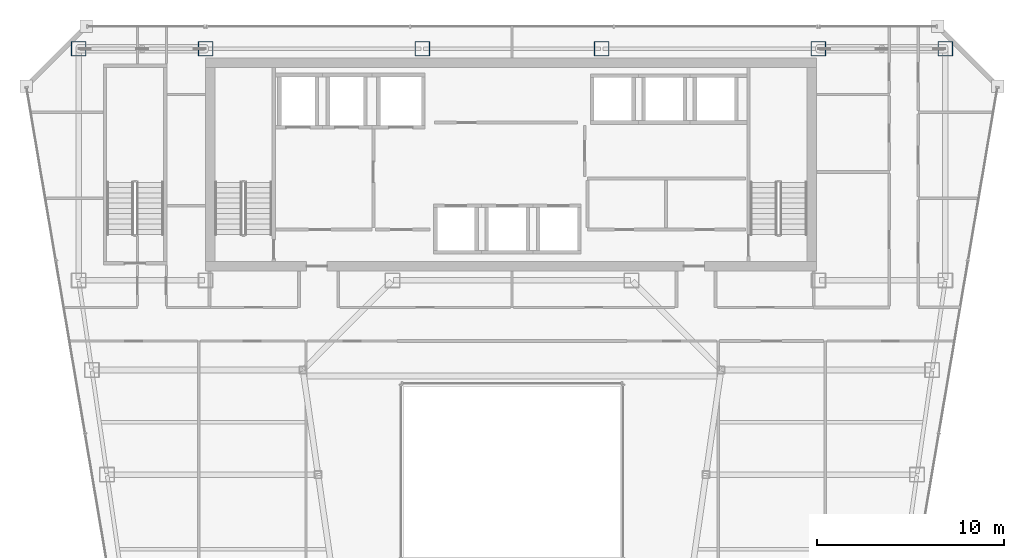
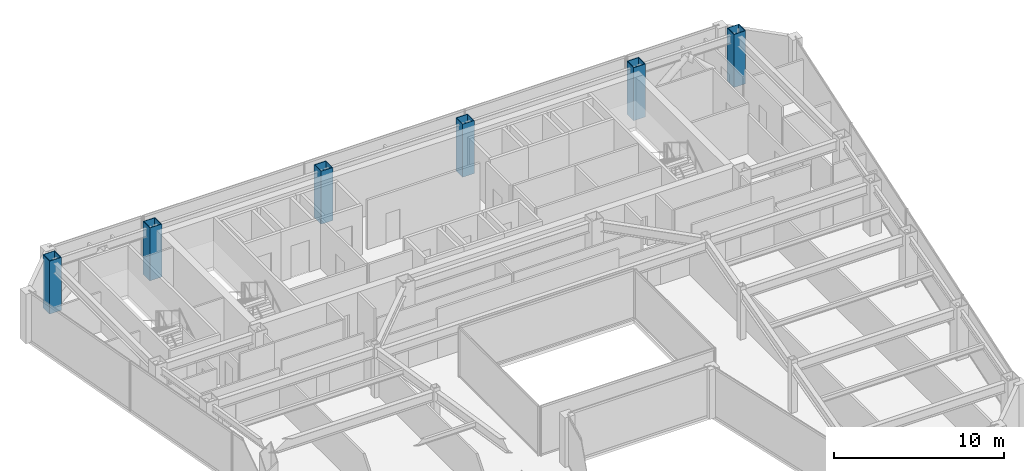
# One storey, part 2 of 36: 6 columns.
"""IFC4 building model written with IfcOpenShell, lengths in metres."""

from ifc_helpers import new_model, si_unit, direction, frame, origin, origin_2d, place, context, subcontext, project, spatial, hollow_rectangle, extrude, material, material_profile, profile_set, type_object, element, save


model = new_model("IFC4")

# Units and contexts
model_context = context("Model", 3, precision=1e-05, world=origin(), true_north=direction((0.0, 1.0)))
body_context = subcontext(model_context, "Body", "Model", "MODEL_VIEW")
ifc_project = project(units=[si_unit("LENGTHUNIT", "METRE"), si_unit("AREAUNIT", "SQUARE_METRE"), si_unit("VOLUMEUNIT", "CUBIC_METRE"), si_unit("PLANEANGLEUNIT", "RADIAN"), si_unit("MASSUNIT", "GRAM", prefix="KILO")], contexts=[model_context])

# Site, building, storey
site_placement = place(None, origin())
site = spatial("IfcSite", under=ifc_project, at=site_placement, CompositionType="ELEMENT")
building_placement = place(site_placement, origin())
building = spatial("IfcBuilding", under=site, at=building_placement, Name="Saevonmaru Cultural Tower", CompositionType="ELEMENT")
storey_placement = place(building_placement, frame((0.0, 0.0, 186.60009765625)))
storey = spatial("IfcBuildingStorey", under=building, at=storey_placement, Name="L42", CompositionType="ELEMENT", Elevation=186.60009765625)

# Columns
ifc_material = material(Name="Steel SM420", Category="steel")
ifc_material_profile = material_profile(ifc_material, hollow_rectangle(XDim=0.800048828125, YDim=0.800048828125, WallThickness=0.035888671875, at=origin_2d()), Name="BOX-800x800x36")
ifc_profile_set = profile_set([ifc_material_profile], Name="Steel SM420")
column_type = type_object("IfcColumnType", Name="COL-BOX-800", PredefinedType="COLUMN", material=ifc_profile_set)
for number, where, z_axis, x_axis, name in (
    (1, (6.800048828125, 54.800048828125, 0.0), (0.0, 0.0, 1.0), (1.0, 0.0, 0.0), "L42 Column TC-N1N"),
    (2, (13.60009765625, 54.800048828125, 0.0), (0.0, 0.0, 1.0), (1.0, 0.0, 0.0), "L42 Column TC-N2N"),
    (3, (25.199951171875, 54.800048828125, 0.0), (0.0, 0.0, 1.0), (1.0, 0.0, 0.0), "L42 Column TC-N3N"),
    (4, (34.800048828125, 54.800048828125, 0.0), (0.0, 0.0, 1.0), (1.0, 0.0, 0.0), "L42 Column TC-N4N"),
    (5, (46.39990234375, 54.800048828125, 0.0), (0.0, 0.0, 1.0), (1.0, 0.0, 0.0), "L42 Column TC-N5N"),
    (6, (53.199951171875, 54.800048828125, 0.0), (0.0, 0.0, 1.0), (1.0, 0.0, 0.0), "L42 Column TC-N6N"),
):
    element("IfcColumn", number, at=place(storey_placement, frame(where, z_axis=z_axis, x_axis=x_axis)), inside=storey, type_object=column_type, Name=name, PredefinedType="COLUMN", context=body_context, shape_type="SweptSolid", body=[
        extrude(hollow_rectangle(XDim=0.800048828125, YDim=0.800048828125, WallThickness=0.035888671875, at=origin_2d()), origin(), (0.0, 0.0, 1.0), 3.7998046875),
    ])

save(model, "model.ifc")
